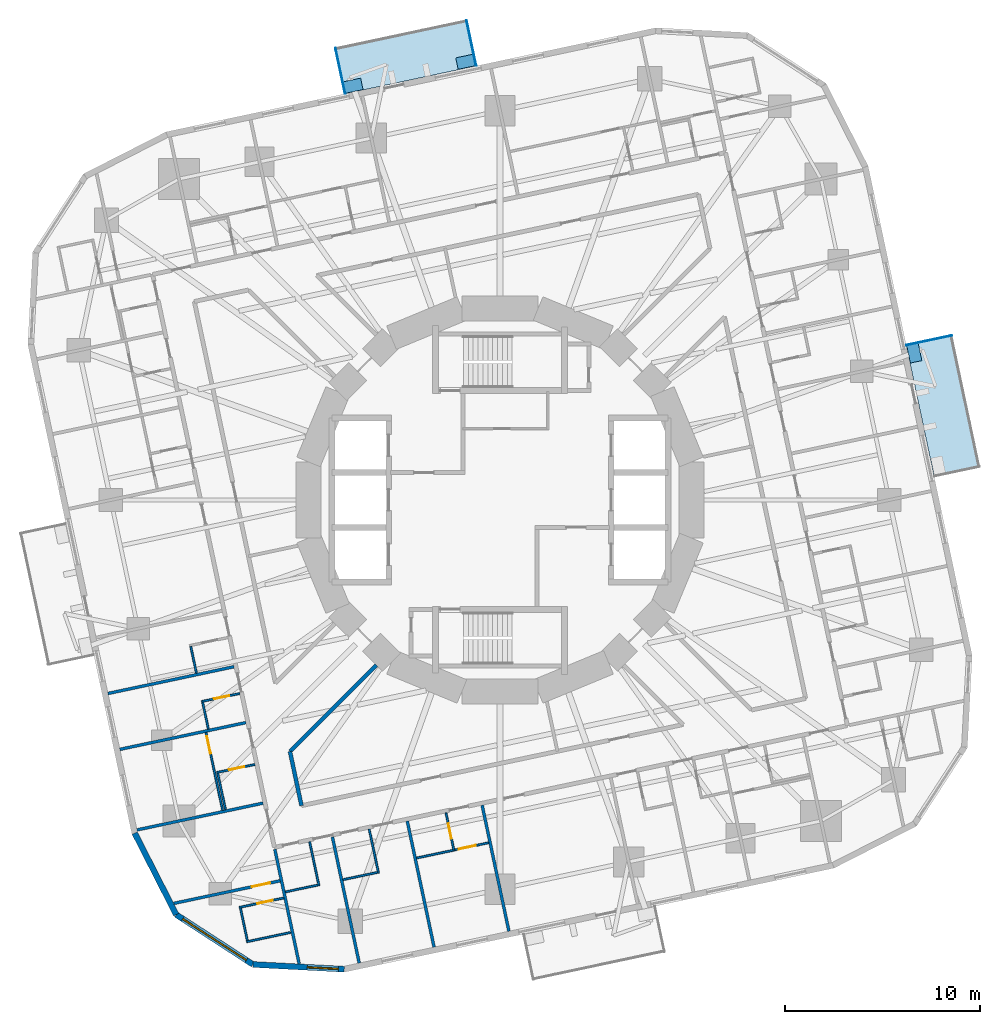
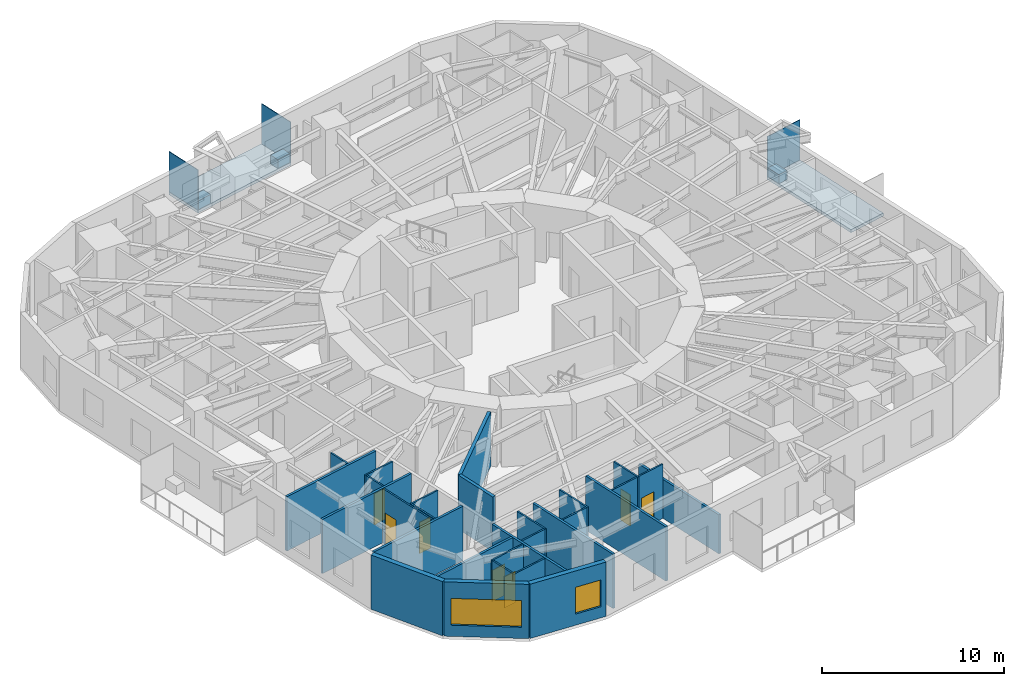
# One storey, part 4 of 14: 29 walls, 7 doors, 6 plates, 2 slabs, 2 windows, 9 openings.
"""IFC4 building model written with IfcOpenShell, lengths in metres."""

from ifc_helpers import new_model, si_unit, direction, frame, frame_2d, origin, origin_2d, place, context, subcontext, project, spatial, polyline, rectangle, outline, extrude, material, layer, layer_set, type_object, element, fill, save


model = new_model("IFC4")

# Units and contexts
model_context = context("Model", 3, precision=1e-05, world=origin(), true_north=direction((0.0, 1.0)))
body_context = subcontext(model_context, "Body", "Model", "MODEL_VIEW")
ifc_project = project(units=[si_unit("LENGTHUNIT", "METRE"), si_unit("AREAUNIT", "SQUARE_METRE"), si_unit("VOLUMEUNIT", "CUBIC_METRE"), si_unit("PLANEANGLEUNIT", "RADIAN"), si_unit("MASSUNIT", "GRAM", prefix="KILO")], contexts=[model_context])

# Site, building, storey
site_placement = place(None, origin())
site = spatial("IfcSite", under=ifc_project, at=site_placement, CompositionType="ELEMENT")
building_placement = place(site_placement, origin())
building = spatial("IfcBuilding", under=site, at=building_placement, Name="Nakasero Lantern House", CompositionType="ELEMENT")
storey_placement = place(building_placement, frame((0.0, 0.0, 116.550048828125)))
storey = spatial("IfcBuildingStorey", under=building, at=storey_placement, Name="L28", CompositionType="ELEMENT", Elevation=116.550048828125)

# Plates
ifc_material_1 = material(Name="Aluminium 6063-T6", Category="aluminium")
ifc_layer_1 = layer(ifc_material_1, 0.60009765625)
ifc_layer_set_1 = layer_set([ifc_layer_1], Name="Balcony planter 600x900")
plate_type_1 = type_object("IfcPlateType", Name="Balcony planter 600x900", PredefinedType="USERDEFINED", material=ifc_layer_set_1)
for number, where, z_axis, x_axis, name in (
    (1, (21.220947265625, 7.516357421875, 0.0), (0.0, 0.0, 1.0), (0.978147600734, 0.207911690818, 0.0), "Balcony PLANTER L28 BAL0B"),
    (2, (-1.764892578125, 22.443603515625, 0.0), (0.0, 0.0, 1.0), (-0.207911690818, 0.978147600734, 0.0), "Balcony PLANTER L28 BAL1A"),
    (3, (-7.516357421875, 21.220947265625, 0.0), (0.0, 0.0, 1.0), (-0.207911690818, 0.978147600734, 0.0), "Balcony PLANTER L28 BAL1B"),
):
    element("IfcPlate", number, at=place(storey_placement, frame(where, z_axis=z_axis, x_axis=x_axis)), inside=storey, type_object=plate_type_1, Name=name, ObjectType="PLANTER", PredefinedType="USERDEFINED", context=body_context, shape_type="SweptSolid", body=[
        extrude(rectangle(XDim=0.60009765625, YDim=0.89990234375, at=origin_2d()), origin(), (0.0, 0.0, 1.0), 0.60009765625),
    ])
ifc_material_2 = material(Name="Aluminium 6063-T6", Category="aluminium")
ifc_layer_2 = layer(ifc_material_2, 0.0400390625)
ifc_layer_set_2 = layer_set([ifc_layer_2], Name="Balcony screen 2400x2700")
plate_type_2 = type_object("IfcPlateType", Name="Balcony screen 2400x2700", PredefinedType="SHEET", material=ifc_layer_set_2)
for number, where, z_axis, x_axis, name in (
    (4, (21.97998046875, 8.1787109375, 0.0), (0.0, 0.0, 1.0), (0.978147600734, 0.207911690818, 0.0), "Balcony SCREEN L28 BAL0B"),
    (5, (-1.468505859375, 23.40625, 0.0), (0.0, 0.0, 1.0), (-0.207911690818, 0.978147600734, 0.0), "Balcony SCREEN L28 BAL1A"),
    (6, (-8.1787109375, 21.97998046875, 0.0), (0.0, 0.0, 1.0), (-0.207911690818, 0.978147600734, 0.0), "Balcony SCREEN L28 BAL1B"),
):
    element("IfcPlate", number, at=place(storey_placement, frame(where, z_axis=z_axis, x_axis=x_axis)), inside=storey, type_object=plate_type_2, Name=name, PredefinedType="SHEET", context=body_context, shape_type="SweptSolid", body=[
        extrude(rectangle(XDim=2.39990234375, YDim=0.0400390625, at=origin_2d()), origin(), (0.0, 0.0, 1.0), 2.699951171875),
    ])

# Slabs
ifc_material_3 = material(Name="Concrete C35/45", Category="concrete")
ifc_layer_3 = layer(ifc_material_3, 0.199951171875)
ifc_layer_set_3 = layer_set([ifc_layer_3], Name="Balcony slab 200")
slab_type = type_object("IfcSlabType", Name="Balcony slab 200", PredefinedType="USERDEFINED", material=ifc_layer_set_3)
slab_1_placement = place(storey_placement, frame((0.0, 0.0, -0.199951171875)))
element("IfcSlab", 7, at=slab_1_placement, inside=storey, type_object=slab_type, Name="Balcony L28 BAL0", ObjectType="BALCONY", PredefinedType="USERDEFINED", context=body_context, shape_type="SweptSolid", body=[
    extrude(outline(polyline([(22.236572265625, 1.199462890625), (24.583984375, 1.698486328125), (23.1494140625, 8.44775390625), (20.802001953125, 7.94873046875), (22.236572265625, 1.199462890625)])), origin(), (0.0, 0.0, 1.0), 0.199951171875),
])
slab_2_placement = place(storey_placement, frame((0.0, 0.0, -0.199951171875)))
element("IfcSlab", 8, at=slab_2_placement, inside=storey, type_object=slab_type, Name="Balcony L28 BAL1", ObjectType="BALCONY", PredefinedType="USERDEFINED", context=body_context, shape_type="SweptSolid", body=[
    extrude(outline(polyline([(-1.199462890625, 22.236572265625), (-1.698486328125, 24.583984375), (-8.44775390625, 23.1494140625), (-7.94873046875, 20.802001953125), (-1.199462890625, 22.236572265625)])), origin(), (0.0, 0.0, 1.0), 0.199951171875),
])

# Walls
ifc_material_4 = material(Name="Blockwork", Category="masonry")
ifc_layer_4 = layer(ifc_material_4, 0.199951171875)
ifc_layer_set_4 = layer_set([ifc_layer_4], Name="Corridor wall 200")
wall_type_1 = type_object("IfcWallType", Name="Corridor wall 200", PredefinedType="PARTITIONING", material=ifc_layer_set_4)
wall_1_placement = place(storey_placement, frame((-10.75732421875, -12.878662109375, 0.0), z_axis=(0.0, 0.0, 1.0), x_axis=(0.207908116695, -0.97814836043, 0.0)))
element("IfcWall", 9, at=wall_1_placement, inside=storey, type_object=wall_type_1, Name="Corridor wall L28 IW2-1", PredefinedType="PARTITIONING", context=body_context, shape_type="SweptSolid", body=[
    extrude(rectangle(XDim=2.83935546875, YDim=0.199951171875, at=frame_2d((1.419677734375, 0.0))), origin(), (0.0, 0.0, 1.0), 3.64990234375),
])
wall_2_placement = place(storey_placement, frame((-6.334228515625, -8.45556640625, 0.0), z_axis=(0.0, 0.0, 1.0), x_axis=(-0.707106781187, -0.707106781187, 0.0)))
element("IfcWall", 10, at=wall_2_placement, inside=storey, type_object=wall_type_1, Name="Corridor wall L28 PS10a", PredefinedType="PARTITIONING", context=body_context, shape_type="SweptSolid", body=[
    extrude(rectangle(XDim=6.255126953125, YDim=0.199951171875, at=frame_2d((3.12744140625, 0.0))), origin(), (0.0, 0.0, 1.0), 3.64990234375),
])
ifc_material_5 = material(Name="Blockwork", Category="masonry")
ifc_layer_5 = layer(ifc_material_5, 0.10009765625)
ifc_layer_set_5 = layer_set([ifc_layer_5], Name="En-suite wall 100")
wall_type_2 = type_object("IfcWallType", Name="En-suite wall 100", PredefinedType="PARTITIONING", material=ifc_layer_set_5)
wall_3_placement = place(storey_placement, frame((-15.836669921875, -7.50048828125, 0.0), z_axis=(0.0, 0.0, 1.0), x_axis=(0.207873355681, -0.978155748334, 0.0)))
element("IfcWall", 11, at=wall_3_placement, inside=storey, type_object=wall_type_2, Name="En-suite wall L28 EE2-05", PredefinedType="PARTITIONING", context=body_context, shape_type="SweptSolid", body=[
    extrude(rectangle(XDim=1.39990234375, YDim=0.10009765625, at=frame_2d((0.699951171875, 0.0))), origin(), (0.0, 0.0, 1.0), 3.64990234375),
])

# Wall, opening, door
wall_4_placement = place(storey_placement, frame((-13.331298828125, -9.908447265625, 0.0), z_axis=(0.0, 0.0, 1.0), x_axis=(-0.978128127149, -0.208003285743, 0.0)))
wall_4 = element("IfcWall", 12, at=wall_4_placement, inside=storey, type_object=wall_type_2, Name="En-suite wall L28 ES2-06", PredefinedType="PARTITIONING", context=body_context, shape_type="SweptSolid", body=[
    extrude(rectangle(XDim=2.0, YDim=0.10009765625, at=frame_2d((1.0, 0.0))), origin(), (0.0, 0.0, 1.0), 3.64990234375),
])
opening_1_placement = place(wall_4_placement, frame((0.550048828125, 0.0, 0.0)))
opening_1 = element("IfcOpeningElement", 13, at=opening_1_placement, cuts=wall_4, Name="Opening D02", PredefinedType="OPENING", context=body_context, shape_type="SweptSolid", body=[
    extrude(rectangle(XDim=0.800048828125, YDim=2.10009765625, at=frame_2d((0.39990234375, 1.050048828125))), frame((0.0, 0.070068359375, 0.0), z_axis=(0.0, -1.0, 0.0), x_axis=(1.0, 0.0, 0.0)), (0.0, 0.0, 1.0), 0.14013671875),
])
ifc_material_6 = material(Name="Timber C24", Category="wood")
door_type_1 = type_object("IfcDoorType", Name="En-suite door 800", OperationType="SINGLE_SWING_RIGHT", PredefinedType="DOOR", material=ifc_material_6)
door_1_placement = place(opening_1_placement, origin())
door_1 = element("IfcDoor", 14, at=door_1_placement, inside=storey, type_object=door_type_1, Name="Door L28 DE2-06", OperationType="SINGLE_SWING_LEFT", OverallHeight=2.10009765625, OverallWidth=0.800048828125, PredefinedType="DOOR", context=body_context, shape_type="SweptSolid", body=[
    extrude(rectangle(XDim=0.800048828125, YDim=2.10009765625, at=frame_2d((0.39990234375, 1.050048828125))), frame((0.0, 0.02490234375, 0.0), z_axis=(0.0, -1.0, 0.0), x_axis=(1.0, 0.0, 0.0)), (0.0, 0.0, 1.0), 0.050048828125),
])
fill(opening_1, door_1)

# Wall
wall_5_placement = place(storey_placement, frame((-15.228271484375, -10.36279296875, 0.0), z_axis=(0.0, 0.0, 1.0), x_axis=(0.207873355681, -0.978155748334, 0.0)))
element("IfcWall", 15, at=wall_5_placement, inside=storey, type_object=wall_type_2, Name="En-suite wall L28 EE2-06", PredefinedType="PARTITIONING", context=body_context, shape_type="SweptSolid", body=[
    extrude(rectangle(XDim=1.39990234375, YDim=0.10009765625, at=frame_2d((0.699951171875, 0.0))), origin(), (0.0, 0.0, 1.0), 3.64990234375),
])

# Wall, opening, door
wall_6_placement = place(storey_placement, frame((-12.55810546875, -13.54541015625, 0.0), z_axis=(0.0, 0.0, 1.0), x_axis=(-0.978152955943, -0.207886494942, 0.0)))
wall_6 = element("IfcWall", 16, at=wall_6_placement, inside=storey, type_object=wall_type_2, Name="En-suite wall L28 ES2-07", PredefinedType="PARTITIONING", context=body_context, shape_type="SweptSolid", body=[
    extrude(rectangle(XDim=2.0, YDim=0.10009765625, at=frame_2d((1.0, 0.0))), origin(), (0.0, 0.0, 1.0), 3.64990234375),
])
opening_2_placement = place(wall_6_placement, frame((0.550048828125, 0.0, 0.0)))
opening_2 = element("IfcOpeningElement", 17, at=opening_2_placement, cuts=wall_6, Name="Opening D02", PredefinedType="OPENING", context=body_context, shape_type="SweptSolid", body=[
    extrude(rectangle(XDim=0.800048828125, YDim=2.10009765625, at=frame_2d((0.39990234375, 1.050048828125))), frame((0.0, 0.070068359375, 0.0), z_axis=(0.0, -1.0, 0.0), x_axis=(1.0, 0.0, 0.0)), (0.0, 0.0, 1.0), 0.14013671875),
])
door_2_placement = place(opening_2_placement, origin())
door_2 = element("IfcDoor", 18, at=door_2_placement, inside=storey, type_object=door_type_1, Name="Door L28 DE2-07", OperationType="SINGLE_SWING_LEFT", OverallHeight=2.10009765625, OverallWidth=0.800048828125, PredefinedType="DOOR", context=body_context, shape_type="SweptSolid", body=[
    extrude(rectangle(XDim=0.800048828125, YDim=2.10009765625, at=frame_2d((0.39990234375, 1.050048828125))), frame((0.0, 0.02490234375, 0.0), z_axis=(0.0, -1.0, 0.0), x_axis=(1.0, 0.0, 0.0)), (0.0, 0.0, 1.0), 0.050048828125),
])
fill(opening_2, door_2)

# Wall
wall_7_placement = place(storey_placement, frame((-14.455078125, -13.999755859375, 0.0), z_axis=(0.0, 0.0, 1.0), x_axis=(0.207914082431, -0.978147092378, 0.0)))
element("IfcWall", 19, at=wall_7_placement, inside=storey, type_object=wall_type_2, Name="En-suite wall L28 EE2-07", PredefinedType="PARTITIONING", context=body_context, shape_type="SweptSolid", body=[
    extrude(rectangle(XDim=1.89990234375, YDim=0.10009765625, at=frame_2d((0.949951171875, 0.0))), origin(), (0.0, 0.0, 1.0), 3.64990234375),
])

# Wall, opening, door
wall_8_placement = place(storey_placement, frame((-11.069091796875, -20.382568359375, 0.0), z_axis=(0.0, 0.0, 1.0), x_axis=(-0.978136257952, -0.207965047255, 0.0)))
wall_8 = element("IfcWall", 20, at=wall_8_placement, inside=storey, type_object=wall_type_2, Name="En-suite wall L28 ES2-08", PredefinedType="PARTITIONING", context=body_context, shape_type="SweptSolid", body=[
    extrude(rectangle(XDim=2.3349609375, YDim=0.10009765625, at=frame_2d((1.16748046875, 0.0))), origin(), (0.0, 0.0, 1.0), 3.64990234375),
])
opening_3_placement = place(wall_8_placement, frame((0.5849609375, 0.0, 0.0)))
opening_3 = element("IfcOpeningElement", 21, at=opening_3_placement, cuts=wall_8, Name="Opening D02", PredefinedType="OPENING", context=body_context, shape_type="SweptSolid", body=[
    extrude(rectangle(XDim=0.800048828125, YDim=2.10009765625, at=frame_2d((0.39990234375, 1.050048828125))), frame((0.0, 0.070068359375, 0.0), z_axis=(0.0, -1.0, 0.0), x_axis=(1.0, 0.0, 0.0)), (0.0, 0.0, 1.0), 0.14013671875),
])
door_3_placement = place(opening_3_placement, origin())
door_3 = element("IfcDoor", 22, at=door_3_placement, inside=storey, type_object=door_type_1, Name="Door L28 DE2-08", OperationType="SINGLE_SWING_LEFT", OverallHeight=2.10009765625, OverallWidth=0.800048828125, PredefinedType="DOOR", context=body_context, shape_type="SweptSolid", body=[
    extrude(rectangle(XDim=0.800048828125, YDim=2.10009765625, at=frame_2d((0.39990234375, 1.050048828125))), frame((0.0, 0.02490234375, 0.0), z_axis=(0.0, -1.0, 0.0), x_axis=(1.0, 0.0, 0.0)), (0.0, 0.0, 1.0), 0.050048828125),
])
fill(opening_3, door_3)

# Walls
wall_9_placement = place(storey_placement, frame((-13.293701171875, -20.906494140625, 0.0), z_axis=(0.0, 0.0, 1.0), x_axis=(0.207812379357, -0.978168704767, 0.0)))
element("IfcWall", 23, at=wall_9_placement, inside=storey, type_object=wall_type_2, Name="En-suite wall L28 EE2-08", PredefinedType="PARTITIONING", context=body_context, shape_type="SweptSolid", body=[
    extrude(rectangle(XDim=1.699951171875, YDim=0.10009765625, at=frame_2d((0.85009765625, 0.0))), origin(), (0.0, 0.0, 1.0), 3.64990234375),
])
for number, where, z_axis, x_axis, name in (
    (24, (-10.72900390625, -22.150634765625, 0.0), (0.0, 0.0, 1.0), (-0.978162897375, -0.207839712757, 0.0), "En-suite wall L28 EV2-08"),
    (25, (-9.74755859375, -17.50927734375, 0.0), (0.0, 0.0, 1.0), (0.207839712757, -0.978162897375, 0.0), "En-suite wall L28 ES3-00"),
):
    element("IfcWall", number, at=place(storey_placement, frame(where, z_axis=z_axis, x_axis=x_axis)), inside=storey, type_object=wall_type_2, Name=name, PredefinedType="PARTITIONING", context=body_context, shape_type="SweptSolid", body=[
        extrude(rectangle(XDim=2.300048828125, YDim=0.10009765625, at=frame_2d((1.14990234375, 0.0))), origin(), (0.0, 0.0, 1.0), 3.64990234375),
    ])
wall_10_placement = place(storey_placement, frame((-10.99169921875, -20.073974609375, 0.0), z_axis=(0.0, 0.0, 1.0), x_axis=(0.97814571127, 0.207920579847, 0.0)))
element("IfcWall", 26, at=wall_10_placement, inside=storey, type_object=wall_type_2, Name="En-suite wall L28 EE3-00", PredefinedType="PARTITIONING", context=body_context, shape_type="SweptSolid", body=[
    extrude(rectangle(XDim=1.7001953125, YDim=0.10009765625, at=frame_2d((0.85009765625, 0.0))), origin(), (0.0, 0.0, 1.0), 3.64990234375),
])
wall_11_placement = place(storey_placement, frame((-6.69970703125, -16.861328125, 0.0), z_axis=(0.0, 0.0, 1.0), x_axis=(0.207941273027, -0.978141312374, 0.0)))
element("IfcWall", 27, at=wall_11_placement, inside=storey, type_object=wall_type_2, Name="En-suite wall L28 ES3-01", PredefinedType="PARTITIONING", context=body_context, shape_type="SweptSolid", body=[
    extrude(rectangle(XDim=2.300048828125, YDim=0.10009765625, at=frame_2d((1.14990234375, 0.0))), origin(), (0.0, 0.0, 1.0), 3.64990234375),
])
wall_12_placement = place(storey_placement, frame((-8.041259765625, -19.44677734375, 0.0), z_axis=(0.0, 0.0, 1.0), x_axis=(0.978140575842, 0.207944737591, 0.0)))
element("IfcWall", 28, at=wall_12_placement, inside=storey, type_object=wall_type_2, Name="En-suite wall L28 EE3-01", PredefinedType="PARTITIONING", context=body_context, shape_type="SweptSolid", body=[
    extrude(rectangle(XDim=1.7998046875, YDim=0.10009765625, at=frame_2d((0.89990234375, 0.0))), origin(), (0.0, 0.0, 1.0), 3.64990234375),
])

# Wall, opening, door
wall_13_placement = place(storey_placement, frame((-2.767822265625, -16.025634765625, 0.0), z_axis=(0.0, 0.0, 1.0), x_axis=(0.207886494942, -0.978152955943, 0.0)))
wall_13 = element("IfcWall", 29, at=wall_13_placement, inside=storey, type_object=wall_type_2, Name="En-suite wall L28 ES3-02", PredefinedType="PARTITIONING", context=body_context, shape_type="SweptSolid", body=[
    extrude(rectangle(XDim=2.0, YDim=0.10009765625, at=frame_2d((1.0, 0.0))), origin(), (0.0, 0.0, 1.0), 3.64990234375),
])
opening_4_placement = place(wall_13_placement, frame((0.550048828125, 0.0, 0.0)))
opening_4 = element("IfcOpeningElement", 30, at=opening_4_placement, cuts=wall_13, Name="Opening D02", PredefinedType="OPENING", context=body_context, shape_type="SweptSolid", body=[
    extrude(rectangle(XDim=0.800048828125, YDim=2.10009765625, at=frame_2d((0.39990234375, 1.050048828125))), frame((0.0, 0.070068359375, 0.0), z_axis=(0.0, -1.0, 0.0), x_axis=(1.0, 0.0, 0.0)), (0.0, 0.0, 1.0), 0.14013671875),
])
door_4_placement = place(opening_4_placement, origin())
door_4 = element("IfcDoor", 31, at=door_4_placement, inside=storey, type_object=door_type_1, Name="Door L28 DE3-02", OperationType="SINGLE_SWING_LEFT", OverallHeight=2.10009765625, OverallWidth=0.800048828125, PredefinedType="DOOR", context=body_context, shape_type="SweptSolid", body=[
    extrude(rectangle(XDim=0.800048828125, YDim=2.10009765625, at=frame_2d((0.39990234375, 1.050048828125))), frame((0.0, 0.02490234375, 0.0), z_axis=(0.0, -1.0, 0.0), x_axis=(1.0, 0.0, 0.0)), (0.0, 0.0, 1.0), 0.050048828125),
])
fill(opening_4, door_4)

# Wall
wall_14_placement = place(storey_placement, frame((-4.269775390625, -18.33837890625, 0.0), z_axis=(0.0, 0.0, 1.0), x_axis=(0.978147092378, 0.207914082431, 0.0)))
element("IfcWall", 32, at=wall_14_placement, inside=storey, type_object=wall_type_2, Name="En-suite wall L28 EE3-02", PredefinedType="PARTITIONING", context=body_context, shape_type="SweptSolid", body=[
    extrude(rectangle(XDim=1.89990234375, YDim=0.10009765625, at=frame_2d((0.949951171875, 0.0))), origin(), (0.0, 0.0, 1.0), 3.64990234375),
])

# Wall, opening, door
wall_15_placement = place(storey_placement, frame((-15.052734375, -11.91015625, 0.0), z_axis=(0.0, 0.0, 1.0), x_axis=(0.207942731049, -0.978141002414, 0.0)))
wall_15 = element("IfcWall", 33, at=wall_15_placement, inside=storey, type_object=wall_type_2, Name="En-suite wall L28 EL2-07", PredefinedType="PARTITIONING", context=body_context, shape_type="SweptSolid", body=[
    extrude(rectangle(XDim=4.068115234375, YDim=0.10009765625, at=frame_2d((2.0341796875, 0.0))), origin(), (0.0, 0.0, 1.0), 3.64990234375),
])
opening_5_placement = place(wall_15_placement, frame((0.199951171875, 0.0, 0.0)))
opening_5 = element("IfcOpeningElement", 34, at=opening_5_placement, cuts=wall_15, Name="Opening D17", PredefinedType="OPENING", context=body_context, shape_type="SweptSolid", body=[
    extrude(rectangle(XDim=0.89990234375, YDim=2.10009765625, at=frame_2d((0.449951171875, 1.050048828125))), frame((0.0, 0.070068359375, 0.0), z_axis=(0.0, -1.0, 0.0), x_axis=(1.0, 0.0, 0.0)), (0.0, 0.0, 1.0), 0.14013671875),
])
ifc_material_7 = material(Name="Timber C24", Category="wood")
door_type_2 = type_object("IfcDoorType", Name="Bedroom door FD30S 900", OperationType="SINGLE_SWING_LEFT", PredefinedType="DOOR", material=ifc_material_7)
door_5_placement = place(opening_5_placement, origin())
door_5 = element("IfcDoor", 35, at=door_5_placement, inside=storey, type_object=door_type_2, Name="Door L28 DL2-07", OperationType="SINGLE_SWING_LEFT", OverallHeight=2.10009765625, OverallWidth=0.89990234375, PredefinedType="DOOR", context=body_context, shape_type="SweptSolid", body=[
    extrude(rectangle(XDim=0.89990234375, YDim=2.10009765625, at=frame_2d((0.449951171875, 1.050048828125))), frame((0.0, 0.02490234375, 0.0), z_axis=(0.0, -1.0, 0.0), x_axis=(1.0, 0.0, 0.0)), (0.0, 0.0, 1.0), 0.050048828125),
])
fill(opening_5, door_5)

wall_16_placement = place(storey_placement, frame((-2.3134765625, -17.922607421875, 0.0), z_axis=(0.0, 0.0, 1.0), x_axis=(0.978142366117, 0.207936316228, 0.0)))
wall_16 = element("IfcWall", 36, at=wall_16_placement, inside=storey, type_object=wall_type_2, Name="En-suite wall L28 EL3-02", PredefinedType="PARTITIONING", context=body_context, shape_type="SweptSolid", body=[
    extrude(rectangle(XDim=1.769287109375, YDim=0.10009765625, at=frame_2d((0.884765625, 0.0))), origin(), (0.0, 0.0, 1.0), 3.64990234375),
])
opening_6_placement = place(wall_16_placement, frame((0.199951171875, 0.0, 0.0)))
opening_6 = element("IfcOpeningElement", 37, at=opening_6_placement, cuts=wall_16, Name="Opening D17", PredefinedType="OPENING", context=body_context, shape_type="SweptSolid", body=[
    extrude(rectangle(XDim=0.89990234375, YDim=2.10009765625, at=frame_2d((0.449951171875, 1.050048828125))), frame((0.0, 0.070068359375, 0.0), z_axis=(0.0, -1.0, 0.0), x_axis=(1.0, 0.0, 0.0)), (0.0, 0.0, 1.0), 0.14013671875),
])
door_6_placement = place(opening_6_placement, origin())
door_6 = element("IfcDoor", 38, at=door_6_placement, inside=storey, type_object=door_type_2, Name="Door L28 DL3-02", OperationType="SINGLE_SWING_LEFT", OverallHeight=2.10009765625, OverallWidth=0.89990234375, PredefinedType="DOOR", context=body_context, shape_type="SweptSolid", body=[
    extrude(rectangle(XDim=0.89990234375, YDim=2.10009765625, at=frame_2d((0.449951171875, 1.050048828125))), frame((0.0, 0.02490234375, 0.0), z_axis=(0.0, -1.0, 0.0), x_axis=(1.0, 0.0, 0.0)), (0.0, 0.0, 1.0), 0.050048828125),
])
fill(opening_6, door_6)

# Wall
ifc_material_8 = material(Name="Aluminium rainscreen on blockwork", Category="masonry")
ifc_layer_6 = layer(ifc_material_8, 0.300048828125)
ifc_layer_set_6 = layer_set([ifc_layer_6], Name="Facade wall 300")
wall_type_3 = type_object("IfcWallType", Name="Facade wall 300", PredefinedType="SOLIDWALL", material=ifc_layer_set_6)
wall_17_placement = place(storey_placement, frame((-18.711181640625, -17.063232421875, 0.0), z_axis=(0.0, 0.0, 1.0), x_axis=(0.453975745332, -0.89101404178, 0.0)))
element("IfcWall", 39, at=wall_17_placement, inside=storey, type_object=wall_type_3, Name="Facade wall L28 FW2C1", PredefinedType="SOLIDWALL", context=body_context, shape_type="SweptSolid", body=[
    extrude(rectangle(XDim=4.6845703125, YDim=0.300048828125, at=frame_2d((2.34228515625, 0.0))), origin(), (0.0, 0.0, 1.0), 3.64990234375),
])

# Wall, opening, window
wall_18_placement = place(storey_placement, frame((-16.58447265625, -21.2373046875, 0.0), z_axis=(0.0, 0.0, 1.0), x_axis=(0.838692381994, -0.544605442853, 0.0)))
wall_18 = element("IfcWall", 40, at=wall_18_placement, inside=storey, type_object=wall_type_3, Name="Facade wall L28 FW2C2", PredefinedType="SOLIDWALL", context=body_context, shape_type="SweptSolid", body=[
    extrude(rectangle(XDim=4.6845703125, YDim=0.300048828125, at=frame_2d((2.34228515625, 0.0))), origin(), (0.0, 0.0, 1.0), 3.64990234375),
])
opening_7_placement = place(wall_18_placement, frame((0.39990234375, 0.0, 0.75)))
opening_7 = element("IfcOpeningElement", 41, at=opening_7_placement, cuts=wall_18, Name="Opening W238", PredefinedType="OPENING", context=body_context, shape_type="SweptSolid", body=[
    extrude(rectangle(XDim=3.885009765625, YDim=1.800048828125, at=frame_2d((1.9423828125, 0.89990234375))), frame((0.0, 0.169921875, 0.0), z_axis=(0.0, -1.0, 0.0), x_axis=(1.0, 0.0, 0.0)), (0.0, 0.0, 1.0), 0.340087890625),
])
ifc_material_9 = material(Name="Aluminium 6063-T6 and glass", Category="aluminium")
window_type_1 = type_object("IfcWindowType", Name="Corner window 3885x1800", PartitioningType="SINGLE_PANEL", PredefinedType="WINDOW", material=ifc_material_9)
window_1_placement = place(opening_7_placement, origin())
window_1 = element("IfcWindow", 42, at=window_1_placement, inside=storey, type_object=window_type_1, Name="Window L28 WC2", OverallHeight=1.800048828125, OverallWidth=3.885009765625, PartitioningType="SINGLE_PANEL", PredefinedType="WINDOW", context=body_context, shape_type="SweptSolid", body=[
    extrude(rectangle(XDim=3.885009765625, YDim=1.800048828125, at=frame_2d((1.9423828125, 0.89990234375))), frame((0.0, 0.030029296875, 0.0), z_axis=(0.0, -1.0, 0.0), x_axis=(1.0, 0.0, 0.0)), (0.0, 0.0, 1.0), 0.06005859375),
])
fill(opening_7, window_1)

wall_19_placement = place(storey_placement, frame((-12.655517578125, -23.78857421875, 0.0), z_axis=(0.0, 0.0, 1.0), x_axis=(0.998630039879, -0.052326317, 0.0)))
wall_19 = element("IfcWall", 43, at=wall_19_placement, inside=storey, type_object=wall_type_3, Name="Facade wall L28 FW2C3", PredefinedType="SOLIDWALL", context=body_context, shape_type="SweptSolid", body=[
    extrude(rectangle(XDim=4.684326171875, YDim=0.300048828125, at=frame_2d((2.34228515625, 0.0))), origin(), (0.0, 0.0, 1.0), 3.64990234375),
])
opening_8_placement = place(wall_19_placement, frame((2.784912109375, 0.0, 0.75)))
opening_8 = element("IfcOpeningElement", 44, at=opening_8_placement, cuts=wall_19, Name="Opening W01", PredefinedType="OPENING", context=body_context, shape_type="SweptSolid", body=[
    extrude(rectangle(XDim=1.60009765625, YDim=1.800048828125, at=frame_2d((0.800048828125, 0.89990234375))), frame((0.0, 0.169921875, 0.0), z_axis=(0.0, -1.0, 0.0), x_axis=(1.0, 0.0, 0.0)), (0.0, 0.0, 1.0), 0.340087890625),
])
ifc_material_10 = material(Name="Aluminium 6063-T6 and glass", Category="aluminium")
window_type_2 = type_object("IfcWindowType", Name="Bedroom window 1600x1800", PartitioningType="SINGLE_PANEL", PredefinedType="WINDOW", material=ifc_material_10)
window_2_placement = place(opening_8_placement, origin())
window_2 = element("IfcWindow", 45, at=window_2_placement, inside=storey, type_object=window_type_2, Name="Window L28 WN3-00", OverallHeight=1.800048828125, OverallWidth=1.60009765625, PartitioningType="SINGLE_PANEL", PredefinedType="WINDOW", context=body_context, shape_type="SweptSolid", body=[
    extrude(rectangle(XDim=1.60009765625, YDim=1.800048828125, at=frame_2d((0.800048828125, 0.89990234375))), frame((0.0, 0.030029296875, 0.0), z_axis=(0.0, -1.0, 0.0), x_axis=(1.0, 0.0, 0.0)), (0.0, 0.0, 1.0), 0.06005859375),
])
fill(opening_8, window_2)

# Walls
ifc_material_11 = material(Name="Blockwork", Category="masonry")
ifc_layer_7 = layer(ifc_material_11, 0.14990234375)
ifc_layer_set_7 = layer_set([ifc_layer_7], Name="Party wall 150")
wall_type_4 = type_object("IfcWallType", Name="Party wall 150", PredefinedType="PARTITIONING", material=ifc_layer_set_7)
for number, where, z_axis, x_axis, name in (
    (46, (-13.62255859375, -8.537841796875, 0.0), (0.0, 0.0, 1.0), (-0.97815236361, -0.207889281984, 0.0), "Party wall L28 PW2-06"),
    (47, (-13.01416015625, -11.400146484375, 0.0), (0.0, 0.0, 1.0), (-0.978144841009, -0.207924673876, 0.0), "Party wall L28 PW2-07"),
    (48, (-12.13720703125, -15.526123046875, 0.0), (0.0, 0.0, 1.0), (-0.978144841009, -0.207924673876, 0.0), "Party wall L28 PW2-08"),
):
    element("IfcWall", number, at=place(storey_placement, frame(where, z_axis=z_axis, x_axis=x_axis)), inside=storey, type_object=wall_type_4, Name=name, PredefinedType="PARTITIONING", context=body_context, shape_type="SweptSolid", body=[
        extrude(rectangle(XDim=6.60009765625, YDim=0.14990234375, at=frame_2d((3.300048828125, 0.0))), origin(), (0.0, 0.0, 1.0), 3.64990234375),
    ])

# Wall, opening, door
wall_20_placement = place(storey_placement, frame((-11.256103515625, -19.502197265625, 0.0), z_axis=(0.0, 0.0, 1.0), x_axis=(-0.978142361087, -0.207936339891, 0.0)))
wall_20 = element("IfcWall", 49, at=wall_20_placement, inside=storey, type_object=wall_type_4, Name="Party wall L28 PC2", PredefinedType="PARTITIONING", context=body_context, shape_type="SweptSolid", body=[
    extrude(rectangle(XDim=5.570068359375, YDim=0.14990234375, at=frame_2d((2.78515625, 0.0))), origin(), (0.0, 0.0, 1.0), 3.64990234375),
])
opening_9_placement = place(wall_20_placement, frame((0.534912109375, 0.0, 0.0)))
opening_9 = element("IfcOpeningElement", 50, at=opening_9_placement, cuts=wall_20, Name="Opening D01", PredefinedType="OPENING", context=body_context, shape_type="SweptSolid", body=[
    extrude(rectangle(XDim=0.949951171875, YDim=2.10009765625, at=frame_2d((0.47509765625, 1.050048828125))), frame((0.0, 0.094970703125, 0.0), z_axis=(0.0, -1.0, 0.0), x_axis=(1.0, 0.0, 0.0)), (0.0, 0.0, 1.0), 0.18994140625),
])
ifc_material_12 = material(Name="Timber C24", Category="wood")
door_type_3 = type_object("IfcDoorType", Name="Bedroom door FD30S 950", OperationType="SINGLE_SWING_LEFT", PredefinedType="DOOR", material=ifc_material_12)
door_7_placement = place(opening_9_placement, origin())
door_7 = element("IfcDoor", 51, at=door_7_placement, inside=storey, type_object=door_type_3, Name="Door L28 DC2", OperationType="SINGLE_SWING_LEFT", OverallHeight=2.10009765625, OverallWidth=0.949951171875, PredefinedType="DOOR", context=body_context, shape_type="SweptSolid", body=[
    extrude(rectangle(XDim=0.949951171875, YDim=2.10009765625, at=frame_2d((0.47509765625, 1.050048828125))), frame((0.0, 0.02490234375, 0.0), z_axis=(0.0, -1.0, 0.0), x_axis=(1.0, 0.0, 0.0)), (0.0, 0.0, 1.0), 0.050048828125),
])
fill(opening_9, door_7)

# Walls
wall_21_placement = place(storey_placement, frame((-11.53271484375, -17.888671875, 0.0), z_axis=(0.0, 0.0, 1.0), x_axis=(0.207886494942, -0.978152955943, 0.0)))
element("IfcWall", 52, at=wall_21_placement, inside=storey, type_object=wall_type_4, Name="Party wall L28 PW3-00", PredefinedType="PARTITIONING", context=body_context, shape_type="SweptSolid", body=[
    extrude(rectangle(XDim=6.0, YDim=0.14990234375, at=frame_2d((3.0, 0.0))), origin(), (0.0, 0.0, 1.0), 3.64990234375),
])
wall_22_placement = place(storey_placement, frame((-8.58251953125, -17.26171875, 0.0), z_axis=(0.0, 0.0, 1.0), x_axis=(0.207932197326, -0.978143241716, 0.0)))
element("IfcWall", 53, at=wall_22_placement, inside=storey, type_object=wall_type_4, Name="Party wall L28 PW3-01", PredefinedType="PARTITIONING", context=body_context, shape_type="SweptSolid", body=[
    extrude(rectangle(XDim=6.599853515625, YDim=0.14990234375, at=frame_2d((3.2998046875, 0.0))), origin(), (0.0, 0.0, 1.0), 3.64990234375),
])
wall_23_placement = place(storey_placement, frame((-4.748779296875, -16.44677734375, 0.0), z_axis=(0.0, 0.0, 1.0), x_axis=(0.207924673876, -0.978144841009, 0.0)))
element("IfcWall", 54, at=wall_23_placement, inside=storey, type_object=wall_type_4, Name="Party wall L28 PW3-02", PredefinedType="PARTITIONING", context=body_context, shape_type="SweptSolid", body=[
    extrude(rectangle(XDim=6.60009765625, YDim=0.14990234375, at=frame_2d((3.300048828125, 0.0))), origin(), (0.0, 0.0, 1.0), 3.64990234375),
])
wall_24_placement = place(storey_placement, frame((-0.914794921875, -15.6318359375, 0.0), z_axis=(0.0, 0.0, 1.0), x_axis=(0.207924673876, -0.978144841009, 0.0)))
element("IfcWall", 55, at=wall_24_placement, inside=storey, type_object=wall_type_4, Name="Party wall L28 PW3-03", PredefinedType="PARTITIONING", context=body_context, shape_type="SweptSolid", body=[
    extrude(rectangle(XDim=6.60009765625, YDim=0.14990234375, at=frame_2d((3.300048828125, 0.0))), origin(), (0.0, 0.0, 1.0), 2.623779296875),
])

save(model, "model.ifc")
